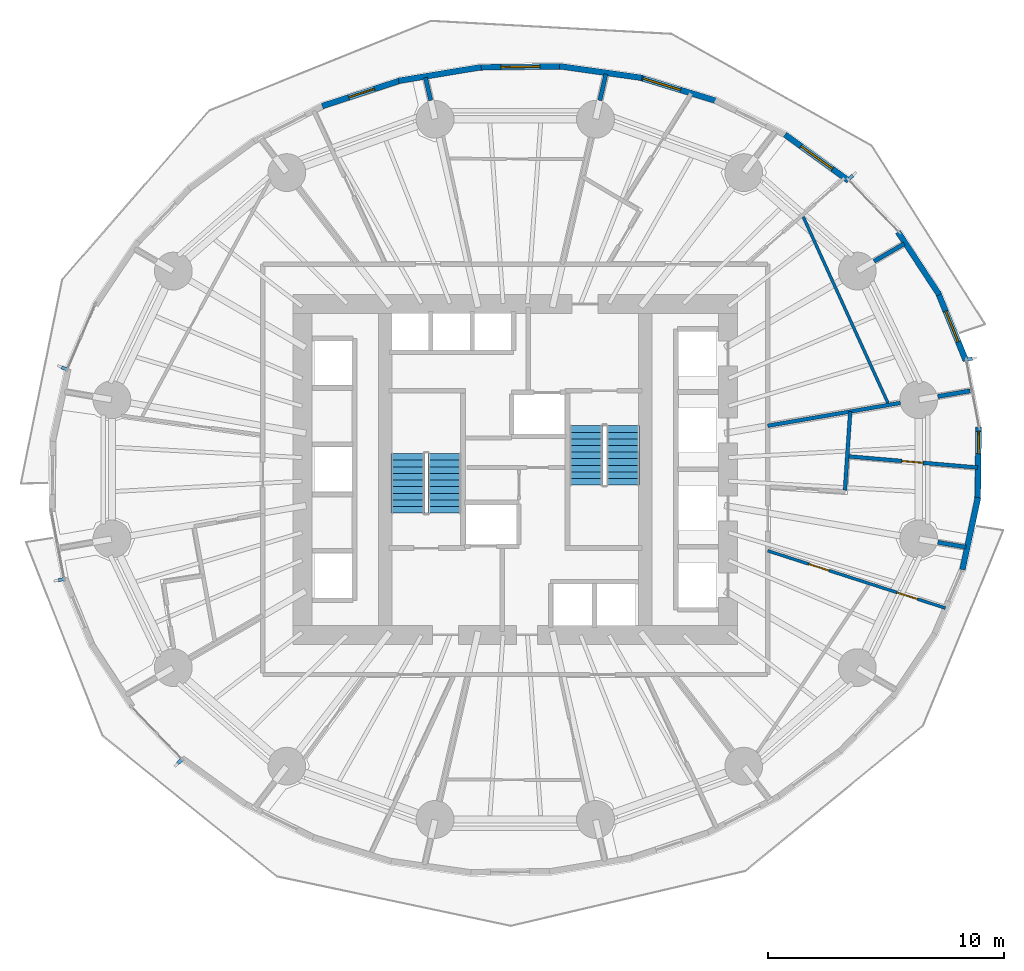
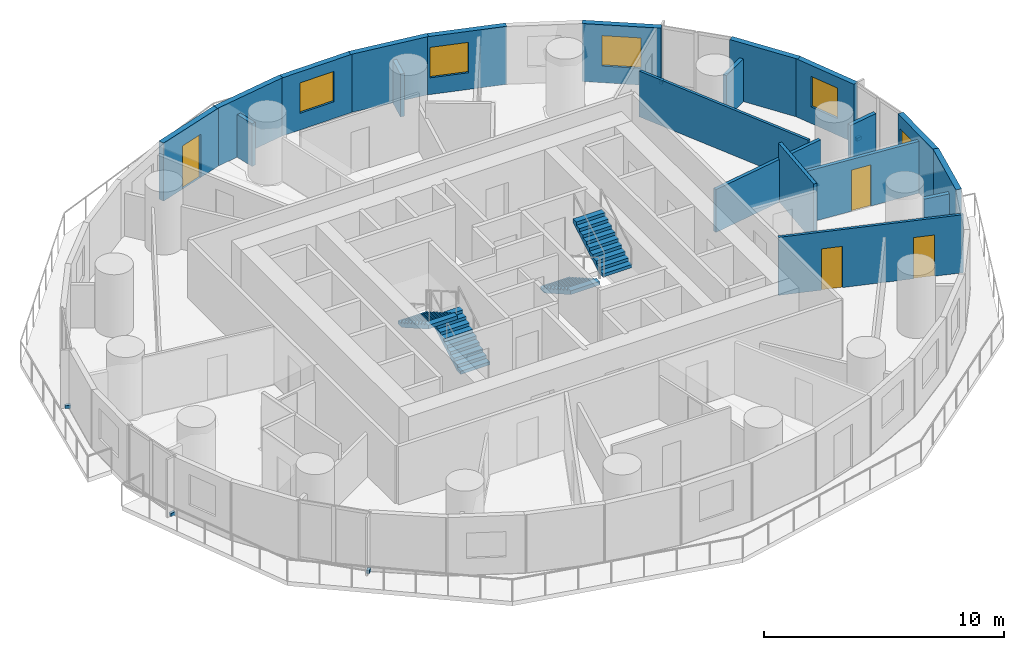
# One storey, part 10 of 14: 20 walls, 5 discrete accessories, 5 windows, 4 doors, 4 stair flights, 9 openings, 2 elements without a shape of their own.
"""IFC4 building model written with IfcOpenShell, lengths in metres."""

from ifc_helpers import new_model, si_unit, direction, frame, frame_2d, origin, origin_2d, place, context, subcontext, project, spatial, polyline, rectangle, outline, extrude, material, layer, layer_set, type_object, element, fill, aggregate, save


model = new_model("IFC4")

# Units and contexts
model_context = context("Model", 3, precision=1e-05, world=origin(), true_north=direction((0.0, 1.0)))
body_context = subcontext(model_context, "Body", "Model", "MODEL_VIEW")
ifc_project = project(units=[si_unit("LENGTHUNIT", "METRE"), si_unit("AREAUNIT", "SQUARE_METRE"), si_unit("VOLUMEUNIT", "CUBIC_METRE"), si_unit("PLANEANGLEUNIT", "RADIAN"), si_unit("MASSUNIT", "GRAM", prefix="KILO")], contexts=[model_context])

# Site, building, storey
site_placement = place(None, origin())
site = spatial("IfcSite", under=ifc_project, at=site_placement, CompositionType="ELEMENT")
building_placement = place(site_placement, origin())
building = spatial("IfcBuilding", under=site, at=building_placement, Name="Veldorim Arch Residences", CompositionType="ELEMENT")
storey_placement = place(building_placement, frame((0.0, 0.0, 31.199951171875)))
storey = spatial("IfcBuildingStorey", under=building, at=storey_placement, Name="L08", CompositionType="ELEMENT", Elevation=31.199951171875)

# Wall, openings, doors
ifc_material_1 = material(Name="Acoustic Gypsum Board", Category="gypsum")
ifc_layer_1 = layer(ifc_material_1, 0.125, Name="Acoustic Stud Room Partition Wall 125")
ifc_layer_set_1 = layer_set([ifc_layer_1], Name="Acoustic Gypsum Board")
wall_type_1 = type_object("IfcWallType", Name="Acoustic Stud Room Partition Wall 125", PredefinedType="PARTITIONING", material=ifc_layer_set_1)
wall_1_placement = place(storey_placement, frame((50.195068359375, 18.132080078125, 0.0), z_axis=(0.0, 0.0, 1.0), x_axis=(-0.951723769721, 0.306955804879, 0.0)))
wall_1 = element("IfcWall", 1, at=wall_1_placement, inside=storey, type_object=wall_type_1, Name="L08 interior wall WL-RES-L08-017", PredefinedType="PARTITIONING", context=body_context, shape_type="SweptSolid", body=[
    extrude(rectangle(XDim=7.896240234375, YDim=0.125, at=frame_2d((3.9482421875, 0.0))), origin(), (0.0, 0.0, 1.0), 2.955078125),
])
opening_1_placement = place(wall_1_placement, frame((1.2412109375, 0.0, 0.0)))
opening_1 = element("IfcOpeningElement", 2, at=opening_1_placement, cuts=wall_1, Name="Opening DR-INT", PredefinedType="OPENING", context=body_context, shape_type="SweptSolid", body=[
    extrude(rectangle(XDim=0.89990234375, YDim=2.10009765625, at=frame_2d((0.449951171875, 1.050048828125))), frame((0.0, 0.072509765625, 0.0), z_axis=(0.0, -1.0, 0.0), x_axis=(1.0, 0.0, 0.0)), (0.0, 0.0, 1.0), 0.14501953125),
])
opening_2_placement = place(wall_1_placement, frame((5.1689453125, 0.0, 0.0)))
opening_2 = element("IfcOpeningElement", 3, at=opening_2_placement, cuts=wall_1, Name="Opening DR-INT", PredefinedType="OPENING", context=body_context, shape_type="SweptSolid", body=[
    extrude(rectangle(XDim=0.89990234375, YDim=2.10009765625, at=frame_2d((0.449951171875, 1.050048828125))), frame((0.0, 0.072509765625, 0.0), z_axis=(0.0, -1.0, 0.0), x_axis=(1.0, 0.0, 0.0)), (0.0, 0.0, 1.0), 0.14501953125),
])
ifc_material_2 = material(Name="Engineered Timber", Category="wood")
door_type_1 = type_object("IfcDoorType", Name="Apartment Internal Room Timber Door 900x2100", OperationType="SINGLE_SWING_LEFT", PredefinedType="DOOR", material=ifc_material_2)
door_1_placement = place(opening_1_placement, origin())
door_1 = element("IfcDoor", 4, at=door_1_placement, inside=storey, type_object=door_type_1, Name="L08 interior door DR-RES-L08-010", OperationType="SINGLE_SWING_RIGHT", OverallHeight=2.10009765625, OverallWidth=0.89990234375, PredefinedType="DOOR", context=body_context, shape_type="SweptSolid", body=[
    extrude(rectangle(XDim=0.89990234375, YDim=2.10009765625, at=frame_2d((0.449951171875, 1.050048828125))), frame((0.0, 0.02490234375, 0.0), z_axis=(0.0, -1.0, 0.0), x_axis=(1.0, 0.0, 0.0)), (0.0, 0.0, 1.0), 0.050048828125),
])
fill(opening_1, door_1)
door_2_placement = place(opening_2_placement, origin())
door_2 = element("IfcDoor", 5, at=door_2_placement, inside=storey, type_object=door_type_1, Name="L08 interior door DR-RES-L08-011", OperationType="SINGLE_SWING_LEFT", OverallHeight=2.10009765625, OverallWidth=0.89990234375, PredefinedType="DOOR", context=body_context, shape_type="SweptSolid", body=[
    extrude(rectangle(XDim=0.89990234375, YDim=2.10009765625, at=frame_2d((0.449951171875, 1.050048828125))), frame((0.0, 0.02490234375, 0.0), z_axis=(0.0, -1.0, 0.0), x_axis=(1.0, 0.0, 0.0)), (0.0, 0.0, 1.0), 0.050048828125),
])
fill(opening_2, door_2)

# Walls
wall_2_placement = place(storey_placement, frame((47.76904296875, 26.800537109375, 0.0), z_axis=(0.0, 0.0, 1.0), x_axis=(-0.414076998559, 0.910241857565, 0.0)))
element("IfcWall", 6, at=wall_2_placement, inside=storey, type_object=wall_type_1, Name="L08 interior wall WL-RES-L08-027", PredefinedType="PARTITIONING", context=body_context, shape_type="SweptSolid", body=[
    extrude(rectangle(XDim=8.65771484375, YDim=0.125, at=frame_2d((4.328857421875, 0.0))), origin(), (0.0, 0.0, 1.0), 2.327880859375),
])
ifc_material_3 = material(Name="Lightweight Masonry Block & Gypsum", Category="masonry")
ifc_layer_2 = layer(ifc_material_3, 0.179931640625, Name="Compartment & Corridor Fire-Rated Party Wall 180")
ifc_layer_set_2 = layer_set([ifc_layer_2], Name="Lightweight Masonry Block & Gypsum")
wall_type_2 = type_object("IfcWallType", Name="Compartment & Corridor Fire-Rated Party Wall 180", PredefinedType="PARTITIONING", material=ifc_layer_set_2)
wall_3_placement = place(storey_placement, frame((49.873779296875, 27.08544921875, 0.0), z_axis=(0.0, 0.0, 1.0), x_axis=(0.985429571056, 0.170083980696, 0.0)))
element("IfcWall", 7, at=wall_3_placement, inside=storey, type_object=wall_type_2, Name="L08 interior wall WL-PIER-L08-01", PredefinedType="PARTITIONING", context=body_context, shape_type="SweptSolid", body=[
    extrude(rectangle(XDim=1.38525390625, YDim=0.179931640625, at=frame_2d((0.692626953125, 0.0))), origin(), (0.0, 0.0, 1.0), 2.17822265625),
])
wall_4_placement = place(storey_placement, frame((47.177001953125, 32.80029296875, 0.0), z_axis=(0.0, 0.0, 1.0), x_axis=(0.865049792178, 0.501686014408, 0.0)))
element("IfcWall", 8, at=wall_4_placement, inside=storey, type_object=wall_type_2, Name="L08 interior wall WL-PIER-L08-02", PredefinedType="PARTITIONING", context=body_context, shape_type="SweptSolid", body=[
    extrude(rectangle(XDim=1.48095703125, YDim=0.179931640625, at=frame_2d((0.740478515625, 0.0))), origin(), (0.0, 0.0, 1.0), 2.17822265625),
])
wall_5_placement = place(storey_placement, frame((35.577880859375, 39.609130859375, 0.0), z_axis=(0.0, 0.0, 1.0), x_axis=(0.223317049761, 0.974745861897, 0.0)))
element("IfcWall", 9, at=wall_5_placement, inside=storey, type_object=wall_type_2, Name="L08 interior wall WL-PIER-L08-04", PredefinedType="PARTITIONING", context=body_context, shape_type="SweptSolid", body=[
    extrude(rectangle(XDim=1.14453125, YDim=0.179931640625, at=frame_2d((0.572265625, 0.0))), origin(), (0.0, 0.0, 1.0), 2.17822265625),
])
wall_6_placement = place(storey_placement, frame((28.422119140625, 39.609130859375, 0.0), z_axis=(0.0, 0.0, 1.0), x_axis=(-0.223200215289, 0.974772621638, 0.0)))
element("IfcWall", 10, at=wall_6_placement, inside=storey, type_object=wall_type_2, Name="L08 interior wall WL-PIER-L08-05", PredefinedType="PARTITIONING", context=body_context, shape_type="SweptSolid", body=[
    extrude(rectangle(XDim=0.98876953125, YDim=0.179931640625, at=frame_2d((0.494384765625, 0.0))), origin(), (0.0, 0.0, 1.0), 2.17822265625),
])
wall_7_placement = place(storey_placement, frame((49.873779296875, 20.91455078125, 0.0), z_axis=(0.0, 0.0, 1.0), x_axis=(0.985412344637, -0.170183756676, 0.0)))
element("IfcWall", 11, at=wall_7_placement, inside=storey, type_object=wall_type_2, Name="L08 interior wall WL-PIER-L08-16", PredefinedType="PARTITIONING", context=body_context, shape_type="SweptSolid", body=[
    extrude(rectangle(XDim=1.210693359375, YDim=0.179931640625, at=frame_2d((0.60546875, 0.0))), origin(), (0.0, 0.0, 1.0), 2.17822265625),
])

# Wall, opening, window
ifc_material_4 = material(Name="Precast concrete C40/50", Category="concrete")
ifc_layer_3 = layer(ifc_material_4, 0.25, Name="Tower Terracotta Spandrel & Pier Wall 250")
ifc_layer_set_3 = layer_set([ifc_layer_3], Name="Precast concrete C40/50")
wall_type_3 = type_object("IfcWallType", Name="Tower Terracotta Spandrel & Pier Wall 250", PredefinedType="SOLIDWALL", material=ifc_layer_set_3)
wall_8_placement = place(storey_placement, frame((49.884521484375, 31.489013671875, 0.0), z_axis=(0.0, 0.0, 1.0), x_axis=(0.377493207518, -0.926012353199, 0.0)))
wall_8 = element("IfcWall", 12, at=wall_8_placement, inside=storey, type_object=wall_type_3, Name="L08 terracotta facade wall 02", PredefinedType="SOLIDWALL", context=body_context, shape_type="SweptSolid", body=[
    extrude(rectangle(XDim=3.12060546875, YDim=0.25, at=frame_2d((1.560302734375, 0.0))), origin(), (0.0, 0.0, 1.0), 2.9599609375),
])
opening_3_placement = place(wall_8_placement, frame((0.860107421875, 0.0, 0.85009765625)))
opening_3 = element("IfcOpeningElement", 13, at=opening_3_placement, cuts=wall_8, Name="Opening WN-02", PredefinedType="OPENING", context=body_context, shape_type="SweptSolid", body=[
    extrude(rectangle(XDim=1.39990234375, YDim=1.550048828125, at=frame_2d((0.699951171875, 0.77490234375))), frame((0.0, 0.135009765625, 0.0), z_axis=(0.0, -1.0, 0.0), x_axis=(1.0, 0.0, 0.0)), (0.0, 0.0, 1.0), 0.27001953125),
])
ifc_material_5 = material(Name="Laminated Low-E Glass", Category="glass")
window_type_1 = type_object("IfcWindowType", Name="Residential Casement Window 1400x1550", PartitioningType="SINGLE_PANEL", PredefinedType="WINDOW", material=ifc_material_5)
window_1_placement = place(opening_3_placement, origin())
window_1 = element("IfcWindow", 14, at=window_1_placement, inside=storey, type_object=window_type_1, Name="L08 solar-control facade window 02", OverallHeight=1.550048828125, OverallWidth=1.39990234375, PartitioningType="SINGLE_PANEL", PredefinedType="WINDOW", context=body_context, shape_type="SweptSolid", body=[
    extrude(rectangle(XDim=1.39990234375, YDim=1.550048828125, at=frame_2d((0.699951171875, 0.77490234375))), frame((0.0, 0.030029296875, 0.0), z_axis=(0.0, -1.0, 0.0), x_axis=(1.0, 0.0, 0.0)), (0.0, 0.0, 1.0), 0.06005859375),
])
fill(opening_3, window_1)

# Wall
wall_9_placement = place(storey_placement, frame((48.1962890625, 34.042236328125, 0.0), z_axis=(0.0, 0.0, 1.0), x_axis=(0.548579153619, -0.836098625889, 0.0)))
element("IfcWall", 15, at=wall_9_placement, inside=storey, type_object=wall_type_3, Name="L08 terracotta facade wall 03", PredefinedType="SOLIDWALL", context=body_context, shape_type="SweptSolid", body=[
    extrude(rectangle(XDim=3.174072265625, YDim=0.25, at=frame_2d((1.5869140625, 0.0))), origin(), (0.0, 0.0, 1.0), 2.9599609375),
])

# Wall, opening, window
wall_10_placement = place(storey_placement, frame((43.41064453125, 38.168212890625, 0.0), z_axis=(0.0, 0.0, 1.0), x_axis=(0.809637503316, -0.58693024562, 0.0)))
wall_10 = element("IfcWall", 16, at=wall_10_placement, inside=storey, type_object=wall_type_3, Name="L08 terracotta facade wall 05", PredefinedType="SOLIDWALL", context=body_context, shape_type="SweptSolid", body=[
    extrude(rectangle(XDim=3.32275390625, YDim=0.25, at=frame_2d((1.661376953125, 0.0))), origin(), (0.0, 0.0, 1.0), 2.9599609375),
])
opening_4_placement = place(wall_10_placement, frame((0.8359375, 0.0, 0.85009765625)))
opening_4 = element("IfcOpeningElement", 17, at=opening_4_placement, cuts=wall_10, Name="Opening WN-03", PredefinedType="OPENING", context=body_context, shape_type="SweptSolid", body=[
    extrude(rectangle(XDim=1.64990234375, YDim=1.550048828125, at=frame_2d((0.824951171875, 0.77490234375))), frame((0.0, 0.135009765625, 0.0), z_axis=(0.0, -1.0, 0.0), x_axis=(1.0, 0.0, 0.0)), (0.0, 0.0, 1.0), 0.27001953125),
])
ifc_material_6 = material(Name="Laminated Low-E Glass", Category="glass")
window_type_2 = type_object("IfcWindowType", Name="Residential Wide Window 1650x1550", PartitioningType="SINGLE_PANEL", PredefinedType="WINDOW", material=ifc_material_6)
window_2_placement = place(opening_4_placement, origin())
window_2 = element("IfcWindow", 18, at=window_2_placement, inside=storey, type_object=window_type_2, Name="L08 solar-control facade window 05", OverallHeight=1.550048828125, OverallWidth=1.64990234375, PartitioningType="SINGLE_PANEL", PredefinedType="WINDOW", context=body_context, shape_type="SweptSolid", body=[
    extrude(rectangle(XDim=1.64990234375, YDim=1.550048828125, at=frame_2d((0.824951171875, 0.77490234375))), frame((0.0, 0.030029296875, 0.0), z_axis=(0.0, -1.0, 0.0), x_axis=(1.0, 0.0, 0.0)), (0.0, 0.0, 1.0), 0.06005859375),
])
fill(opening_4, window_2)

wall_11_placement = place(storey_placement, frame((37.246337890625, 40.588623046875, 0.0), z_axis=(0.0, 0.0, 1.0), x_axis=(0.956266745267, -0.292496003213, 0.0)))
wall_11 = element("IfcWall", 19, at=wall_11_placement, inside=storey, type_object=wall_type_3, Name="L08 terracotta facade wall 07", PredefinedType="SOLIDWALL", context=body_context, shape_type="SweptSolid", body=[
    extrude(rectangle(XDim=3.46484375, YDim=0.25, at=frame_2d((1.732421875, 0.0))), origin(), (0.0, 0.0, 1.0), 2.9599609375),
])
opening_5_placement = place(wall_11_placement, frame((0.175048828125, 0.0, 0.85009765625)))
opening_5 = element("IfcOpeningElement", 20, at=opening_5_placement, cuts=wall_11, Name="Opening WN-03", PredefinedType="OPENING", context=body_context, shape_type="SweptSolid", body=[
    extrude(rectangle(XDim=1.64990234375, YDim=1.550048828125, at=frame_2d((0.824951171875, 0.77490234375))), frame((0.0, 0.135009765625, 0.0), z_axis=(0.0, -1.0, 0.0), x_axis=(1.0, 0.0, 0.0)), (0.0, 0.0, 1.0), 0.27001953125),
])
window_3_placement = place(opening_5_placement, origin())
window_3 = element("IfcWindow", 21, at=window_3_placement, inside=storey, type_object=window_type_2, Name="L08 solar-control facade window 07", OverallHeight=1.550048828125, OverallWidth=1.64990234375, PartitioningType="SINGLE_PANEL", PredefinedType="WINDOW", context=body_context, shape_type="SweptSolid", body=[
    extrude(rectangle(XDim=1.64990234375, YDim=1.550048828125, at=frame_2d((0.824951171875, 0.77490234375))), frame((0.0, 0.030029296875, 0.0), z_axis=(0.0, -1.0, 0.0), x_axis=(1.0, 0.0, 0.0)), (0.0, 0.0, 1.0), 0.06005859375),
])
fill(opening_5, window_3)

# Wall
wall_12_placement = place(storey_placement, frame((33.874755859375, 41.057861328125, 0.0), z_axis=(0.0, 0.0, 1.0), x_axis=(0.990105954495, -0.140321769067, 0.0)))
element("IfcWall", 22, at=wall_12_placement, inside=storey, type_object=wall_type_3, Name="L08 terracotta facade wall 08", PredefinedType="SOLIDWALL", context=body_context, shape_type="SweptSolid", body=[
    extrude(rectangle(XDim=3.5126953125, YDim=0.25, at=frame_2d((1.75634765625, 0.0))), origin(), (0.0, 0.0, 1.0), 2.9599609375),
])

# Wall, opening, window
wall_13_placement = place(storey_placement, frame((30.445556640625, 41.008056640625, 0.0), z_axis=(0.0, 0.0, 1.0), x_axis=(0.999927087517, 0.012075580727, 0.0)))
wall_13 = element("IfcWall", 23, at=wall_13_placement, inside=storey, type_object=wall_type_3, Name="L08 terracotta facade wall 09", PredefinedType="SOLIDWALL", context=body_context, shape_type="SweptSolid", body=[
    extrude(rectangle(XDim=3.5380859375, YDim=0.25, at=frame_2d((1.76904296875, 0.0))), origin(), (0.0, 0.0, 1.0), 2.9599609375),
])
opening_6_placement = place(wall_13_placement, frame((0.944091796875, 0.0, 0.85009765625)))
opening_6 = element("IfcOpeningElement", 24, at=opening_6_placement, cuts=wall_13, Name="Opening WN-03", PredefinedType="OPENING", context=body_context, shape_type="SweptSolid", body=[
    extrude(rectangle(XDim=1.64990234375, YDim=1.550048828125, at=frame_2d((0.824951171875, 0.77490234375))), frame((0.0, 0.135009765625, 0.0), z_axis=(0.0, -1.0, 0.0), x_axis=(1.0, 0.0, 0.0)), (0.0, 0.0, 1.0), 0.27001953125),
])
window_4_placement = place(opening_6_placement, origin())
window_4 = element("IfcWindow", 25, at=window_4_placement, inside=storey, type_object=window_type_2, Name="L08 solar-control facade window 09", OverallHeight=1.550048828125, OverallWidth=1.64990234375, PartitioningType="SINGLE_PANEL", PredefinedType="WINDOW", context=body_context, shape_type="SweptSolid", body=[
    extrude(rectangle(XDim=1.64990234375, YDim=1.550048828125, at=frame_2d((0.824951171875, 0.77490234375))), frame((0.0, 0.030029296875, 0.0), z_axis=(0.0, -1.0, 0.0), x_axis=(1.0, 0.0, 0.0)), (0.0, 0.0, 1.0), 0.06005859375),
])
fill(opening_6, window_4)

# Wall
wall_14_placement = place(storey_placement, frame((27.06298828125, 40.4404296875, 0.0), z_axis=(0.0, 0.0, 1.0), x_axis=(0.986605703013, 0.16312322576, 0.0)))
element("IfcWall", 26, at=wall_14_placement, inside=storey, type_object=wall_type_3, Name="L08 terracotta facade wall 10", PredefinedType="SOLIDWALL", context=body_context, shape_type="SweptSolid", body=[
    extrude(rectangle(XDim=3.5380859375, YDim=0.25, at=frame_2d((1.76904296875, 0.0))), origin(), (0.0, 0.0, 1.0), 2.9599609375),
])

# Wall, opening, door
wall_15_placement = place(storey_placement, frame((23.83056640625, 39.37255859375, 0.0), z_axis=(0.0, 0.0, 1.0), x_axis=(0.950290237418, 0.311365484066, 0.0)))
wall_15 = element("IfcWall", 27, at=wall_15_placement, inside=storey, type_object=wall_type_3, Name="L08 terracotta facade wall 11", PredefinedType="SOLIDWALL", context=body_context, shape_type="SweptSolid", body=[
    extrude(rectangle(XDim=3.5126953125, YDim=0.25, at=frame_2d((1.75634765625, 0.0))), origin(), (0.0, 0.0, 1.0), 2.9599609375),
])
opening_7_placement = place(wall_15_placement, frame((1.180908203125, 0.0, 0.0)))
opening_7 = element("IfcOpeningElement", 28, at=opening_7_placement, cuts=wall_15, Name="Opening BL-DR", PredefinedType="OPENING", context=body_context, shape_type="SweptSolid", body=[
    extrude(rectangle(XDim=1.14990234375, YDim=2.199951171875, at=frame_2d((0.574951171875, 1.10009765625))), frame((0.0, 0.135009765625, 0.0), z_axis=(0.0, -1.0, 0.0), x_axis=(1.0, 0.0, 0.0)), (0.0, 0.0, 1.0), 0.27001953125),
])
ifc_material_7 = material(Name="Aluminium & Low-E Glass", Category="aluminium")
door_type_2 = type_object("IfcDoorType", Name="Glazed Planted Balcony Door 1150x2200", OperationType="SINGLE_SWING_LEFT", PredefinedType="DOOR", material=ifc_material_7)
door_3_placement = place(opening_7_placement, origin())
door_3 = element("IfcDoor", 29, at=door_3_placement, inside=storey, type_object=door_type_2, Name="L08 glazed outdoor terrace door BALC-1", OperationType="SINGLE_SWING_LEFT", OverallHeight=2.199951171875, OverallWidth=1.14990234375, PredefinedType="DOOR", context=body_context, shape_type="SweptSolid", body=[
    extrude(rectangle(XDim=1.14990234375, YDim=2.199951171875, at=frame_2d((0.574951171875, 1.10009765625))), frame((0.0, 0.02490234375, 0.0), z_axis=(0.0, -1.0, 0.0), x_axis=(1.0, 0.0, 0.0)), (0.0, 0.0, 1.0), 0.050048828125),
])
fill(opening_7, door_3)

# Wall
wall_16_placement = place(storey_placement, frame((51.573486328125, 22.80810546875, 0.0), z_axis=(0.0, 0.0, 1.0), x_axis=(-0.209668000253, -0.977772637002, 0.0)))
element("IfcWall", 30, at=wall_16_placement, inside=storey, type_object=wall_type_3, Name="L08 terracotta facade wall 35", PredefinedType="SOLIDWALL", context=body_context, shape_type="SweptSolid", body=[
    extrude(rectangle(XDim=3.12060546875, YDim=0.25, at=frame_2d((1.560302734375, 0.0))), origin(), (0.0, 0.0, 1.0), 2.9599609375),
])

# Wall, opening, window
wall_17_placement = place(storey_placement, frame((51.59912109375, 25.785888671875, 0.0), z_axis=(0.0, 0.0, 1.0), x_axis=(-0.012397373015, -0.999923149618, 0.0)))
wall_17 = element("IfcWall", 31, at=wall_17_placement, inside=storey, type_object=wall_type_3, Name="L08 terracotta facade wall 36", PredefinedType="SOLIDWALL", context=body_context, shape_type="SweptSolid", body=[
    extrude(rectangle(XDim=3.091796875, YDim=0.25, at=frame_2d((1.5458984375, 0.0))), origin(), (0.0, 0.0, 1.0), 2.9599609375),
])
opening_8_placement = place(wall_17_placement, frame((0.175048828125, 0.0, 0.85009765625)))
opening_8 = element("IfcOpeningElement", 32, at=opening_8_placement, cuts=wall_17, Name="Opening WN-05", PredefinedType="OPENING", context=body_context, shape_type="SweptSolid", body=[
    extrude(rectangle(XDim=0.949951171875, YDim=1.449951171875, at=frame_2d((0.47509765625, 0.72509765625))), frame((0.0, 0.135009765625, 0.0), z_axis=(0.0, -1.0, 0.0), x_axis=(1.0, 0.0, 0.0)), (0.0, 0.0, 1.0), 0.27001953125),
])
ifc_material_8 = material(Name="Laminated Low-E Glass", Category="glass")
window_type_3 = type_object("IfcWindowType", Name="Residential Compact Casement Window 950x1450", PartitioningType="SINGLE_PANEL", PredefinedType="WINDOW", material=ifc_material_8)
window_5_placement = place(opening_8_placement, origin())
window_5 = element("IfcWindow", 33, at=window_5_placement, inside=storey, type_object=window_type_3, Name="L08 solar-control facade window 36", OverallHeight=1.449951171875, OverallWidth=0.949951171875, PartitioningType="SINGLE_PANEL", PredefinedType="WINDOW", context=body_context, shape_type="SweptSolid", body=[
    extrude(rectangle(XDim=0.949951171875, YDim=1.449951171875, at=frame_2d((0.47509765625, 0.72509765625))), frame((0.0, 0.030029296875, 0.0), z_axis=(0.0, -1.0, 0.0), x_axis=(1.0, 0.0, 0.0)), (0.0, 0.0, 1.0), 0.06005859375),
])
fill(opening_8, window_5)

# Wall, opening, door
ifc_material_9 = material(Name="Moisture-Resistant Gypsum & Stud", Category="gypsum")
ifc_layer_4 = layer(ifc_material_9, 0.159912109375, Name="Wet-Area Moisture-Resistant Plumbing Wall 160")
ifc_layer_set_4 = layer_set([ifc_layer_4], Name="Moisture-Resistant Gypsum & Stud")
wall_type_4 = type_object("IfcWallType", Name="Wet-Area Moisture-Resistant Plumbing Wall 160", PredefinedType="PLUMBINGWALL", material=ifc_layer_set_4)
wall_18_placement = place(storey_placement, frame((46.043701171875, 24.5546875, 0.0), z_axis=(0.0, 0.0, 1.0), x_axis=(0.996262385211, -0.086378584226, 0.0)))
wall_18 = element("IfcWall", 34, at=wall_18_placement, inside=storey, type_object=wall_type_4, Name="L08 interior wall WL-RES-L08-016", PredefinedType="PLUMBINGWALL", context=body_context, shape_type="SweptSolid", body=[
    extrude(rectangle(XDim=5.539794921875, YDim=0.159912109375, at=frame_2d((2.77001953125, 0.0))), origin(), (0.0, 0.0, 1.0), 2.641357421875),
])
opening_9_placement = place(wall_18_placement, frame((2.320068359375, 0.0, 0.0)))
opening_9 = element("IfcOpeningElement", 35, at=opening_9_placement, cuts=wall_18, Name="Opening DR-WC", PredefinedType="OPENING", context=body_context, shape_type="SweptSolid", body=[
    extrude(rectangle(XDim=0.89990234375, YDim=2.10009765625, at=frame_2d((0.449951171875, 1.050048828125))), frame((0.0, 0.08984375, 0.0), z_axis=(0.0, -1.0, 0.0), x_axis=(1.0, 0.0, 0.0)), (0.0, 0.0, 1.0), 0.179931640625),
])
ifc_material_10 = material(Name="Laminate Timber", Category="wood")
door_type_3 = type_object("IfcDoorType", Name="Bathroom & Accessible WC Moisture-Sealed Door 900x2100", OperationType="SINGLE_SWING_LEFT", PredefinedType="DOOR", material=ifc_material_10)
door_4_placement = place(opening_9_placement, origin())
door_4 = element("IfcDoor", 36, at=door_4_placement, inside=storey, type_object=door_type_3, Name="L08 interior door DR-RES-L08-009", OperationType="SINGLE_SWING_LEFT", OverallHeight=2.10009765625, OverallWidth=0.89990234375, PredefinedType="DOOR", context=body_context, shape_type="SweptSolid", body=[
    extrude(rectangle(XDim=0.89990234375, YDim=2.10009765625, at=frame_2d((0.449951171875, 1.050048828125))), frame((0.0, 0.02490234375, 0.0), z_axis=(0.0, -1.0, 0.0), x_axis=(1.0, 0.0, 0.0)), (0.0, 0.0, 1.0), 0.050048828125),
])
fill(opening_9, door_4)

# Walls
wall_19_placement = place(storey_placement, frame((45.947265625, 23.117431640625, 0.0), z_axis=(0.0, 0.0, 1.0), x_axis=(0.066888153037, 0.997760479766, 0.0)))
element("IfcWall", 37, at=wall_19_placement, inside=storey, type_object=wall_type_4, Name="L08 interior wall WL-RES-L08-019", PredefinedType="PLUMBINGWALL", context=body_context, shape_type="SweptSolid", body=[
    extrude(rectangle(XDim=3.336181640625, YDim=0.159912109375, at=frame_2d((1.66796875, 0.0))), origin(), (0.0, 0.0, 1.0), 2.955078125),
])
wall_20_placement = place(storey_placement, frame((42.679931640625, 25.843994140625, 0.0), z_axis=(0.0, 0.0, 1.0), x_axis=(0.985435597438, 0.170049061456, 0.0)))
element("IfcWall", 38, at=wall_20_placement, inside=storey, type_object=wall_type_4, Name="L08 interior wall WL-RES-L08-020", PredefinedType="PLUMBINGWALL", context=body_context, shape_type="SweptSolid", body=[
    extrude(rectangle(XDim=5.694091796875, YDim=0.159912109375, at=frame_2d((2.84716796875, 0.0))), origin(), (0.0, 0.0, 1.0), 2.17822265625),
])

# Stair, stair flights
ifc_material_11 = material(Name="Concrete C40/50", Category="concrete")
stair_type = type_object("IfcStairType", Name="Reinforced Concrete Dogleg Exit Staircase", PredefinedType="HALF_TURN_STAIR", material=ifc_material_11)
stair_1_placement = place(storey_placement, origin())
stair_1 = element("IfcStair", 39, at=stair_1_placement, inside=storey, type_object=stair_type, Name="L08 Exit Staircase ST-1", PredefinedType="HALF_TURN_STAIR")
ifc_material_12 = material(Name="Concrete C40/50", Category="concrete")
stair_flight_type = type_object("IfcStairFlightType", Name="Reinforced Concrete Stair Flight 1400", PredefinedType="STRAIGHT", material=ifc_material_12)
stair_flight_1_placement = place(storey_placement, frame((29.010009765625, 22.14990234375, 0.0), z_axis=(0.0, 0.0, 1.0), x_axis=(0.0, 1.0, 0.0)))
stair_flight_1 = element("IfcStairFlight", 40, at=stair_flight_1_placement, type_object=stair_flight_type, Name="ST-1 flight 1", NumberOfRisers=10, NumberOfTreads=9, PredefinedType="STRAIGHT", RiserHeight=0.16, TreadLength=0.28, context=body_context, shape_type="SweptSolid", body=[
    extrude(outline(polyline([(0.0, 0.0), (0.0, 0.159912109375), (0.280029296875, 0.159912109375), (0.280029296875, 0.320068359375), (0.56005859375, 0.320068359375), (0.56005859375, 0.47998046875), (0.840087890625, 0.47998046875), (0.840087890625, 0.639892578125), (1.1201171875, 0.639892578125), (1.1201171875, 0.800048828125), (1.39990234375, 0.800048828125), (1.39990234375, 0.9599609375), (1.679931640625, 0.9599609375), (1.679931640625, 1.1201171875), (1.9599609375, 1.1201171875), (1.9599609375, 1.280029296875), (2.239990234375, 1.280029296875), (2.239990234375, 1.43994140625), (2.52001953125, 1.43994140625), (2.52001953125, 1.60009765625), (2.52001953125, 1.255859375), (0.322265625, 0.0), (0.0, 0.0)])), frame((0.0, 0.699951171875, 0.0), z_axis=(0.0, -1.0, 0.0), x_axis=(1.0, 0.0, 0.0)), (0.0, 0.0, 1.0), 1.39990234375),
])
stair_flight_2_placement = place(storey_placement, frame((27.449951171875, 24.669921875, 1.60009765625), z_axis=(0.0, 0.0, 1.0), x_axis=(0.0, -1.0, 0.0)))
stair_flight_2 = element("IfcStairFlight", 41, at=stair_flight_2_placement, type_object=stair_flight_type, Name="ST-1 flight 2", NumberOfRisers=10, NumberOfTreads=9, PredefinedType="STRAIGHT", RiserHeight=0.16, TreadLength=0.28, context=body_context, shape_type="SweptSolid", body=[
    extrude(outline(polyline([(0.0, 0.0), (0.0, 0.159912109375), (0.280029296875, 0.159912109375), (0.280029296875, 0.320068359375), (0.56005859375, 0.320068359375), (0.56005859375, 0.47998046875), (0.840087890625, 0.47998046875), (0.840087890625, 0.639892578125), (1.1201171875, 0.639892578125), (1.1201171875, 0.800048828125), (1.39990234375, 0.800048828125), (1.39990234375, 0.9599609375), (1.679931640625, 0.9599609375), (1.679931640625, 1.1201171875), (1.9599609375, 1.1201171875), (1.9599609375, 1.280029296875), (2.239990234375, 1.280029296875), (2.239990234375, 1.43994140625), (2.52001953125, 1.43994140625), (2.52001953125, 1.60009765625), (2.52001953125, 1.255859375), (0.322265625, 0.0), (0.0, 0.0)])), frame((0.0, 0.699951171875, 0.0), z_axis=(0.0, -1.0, 0.0), x_axis=(1.0, 0.0, 0.0)), (0.0, 0.0, 1.0), 1.39990234375),
])
aggregate(stair_1, [stair_flight_1, stair_flight_2])

stair_2_placement = place(storey_placement, origin())
stair_2 = element("IfcStair", 42, at=stair_2_placement, inside=storey, type_object=stair_type, Name="L08 Exit Staircase ST-2", PredefinedType="HALF_TURN_STAIR")
stair_flight_3_placement = place(storey_placement, frame((34.989990234375, 25.85009765625, 0.0), z_axis=(0.0, 0.0, 1.0), x_axis=(0.0, -1.0, 0.0)))
stair_flight_3 = element("IfcStairFlight", 43, at=stair_flight_3_placement, type_object=stair_flight_type, Name="ST-2 flight 1", NumberOfRisers=10, NumberOfTreads=9, PredefinedType="STRAIGHT", RiserHeight=0.16, TreadLength=0.28, context=body_context, shape_type="SweptSolid", body=[
    extrude(outline(polyline([(0.0, 0.0), (0.0, 0.159912109375), (0.280029296875, 0.159912109375), (0.280029296875, 0.320068359375), (0.56005859375, 0.320068359375), (0.56005859375, 0.47998046875), (0.840087890625, 0.47998046875), (0.840087890625, 0.639892578125), (1.1201171875, 0.639892578125), (1.1201171875, 0.800048828125), (1.39990234375, 0.800048828125), (1.39990234375, 0.9599609375), (1.679931640625, 0.9599609375), (1.679931640625, 1.1201171875), (1.9599609375, 1.1201171875), (1.9599609375, 1.280029296875), (2.239990234375, 1.280029296875), (2.239990234375, 1.43994140625), (2.52001953125, 1.43994140625), (2.52001953125, 1.60009765625), (2.52001953125, 1.255859375), (0.322265625, 0.0), (0.0, 0.0)])), frame((0.0, 0.699951171875, 0.0), z_axis=(0.0, -1.0, 0.0), x_axis=(1.0, 0.0, 0.0)), (0.0, 0.0, 1.0), 1.39990234375),
])
stair_flight_4_placement = place(storey_placement, frame((36.550048828125, 23.330078125, 1.60009765625), z_axis=(0.0, 0.0, 1.0), x_axis=(0.0, 1.0, 0.0)))
stair_flight_4 = element("IfcStairFlight", 44, at=stair_flight_4_placement, type_object=stair_flight_type, Name="ST-2 flight 2", NumberOfRisers=10, NumberOfTreads=9, PredefinedType="STRAIGHT", RiserHeight=0.16, TreadLength=0.28, context=body_context, shape_type="SweptSolid", body=[
    extrude(outline(polyline([(0.0, 0.0), (0.0, 0.159912109375), (0.280029296875, 0.159912109375), (0.280029296875, 0.320068359375), (0.56005859375, 0.320068359375), (0.56005859375, 0.47998046875), (0.840087890625, 0.47998046875), (0.840087890625, 0.639892578125), (1.1201171875, 0.639892578125), (1.1201171875, 0.800048828125), (1.39990234375, 0.800048828125), (1.39990234375, 0.9599609375), (1.679931640625, 0.9599609375), (1.679931640625, 1.1201171875), (1.9599609375, 1.1201171875), (1.9599609375, 1.280029296875), (2.239990234375, 1.280029296875), (2.239990234375, 1.43994140625), (2.52001953125, 1.43994140625), (2.52001953125, 1.60009765625), (2.52001953125, 1.255859375), (0.322265625, 0.0), (0.0, 0.0)])), frame((0.0, 0.699951171875, 0.0), z_axis=(0.0, -1.0, 0.0), x_axis=(1.0, 0.0, 0.0)), (0.0, 0.0, 1.0), 1.39990234375),
])
aggregate(stair_2, [stair_flight_3, stair_flight_4])

# Discrete accessories
ifc_material_13 = material(Name="Stainless Steel", Category="steel")
discrete_accessory_type = type_object("IfcDiscreteAccessoryType", Name="Stainless Steel Facade Fin Anchor Bracket", PredefinedType="BRACKET", material=ifc_material_13)
for number, where, z_axis, x_axis, name in (
    (45, (51.214111328125, 28.6650390625, -0.02001953125), (0.0, 0.0, 1.0), (0.187209870265, -0.982319939976, 0.0), "L08 stainless fin anchor bracket 01"),
    (46, (46.194580078125, 36.355224609375, -0.02001953125), (0.0, 0.0, 1.0), (0.693527577607, -0.720430079257, 0.0), "L08 stainless fin anchor bracket 04"),
    (47, (12.918212890625, 28.27392578125, -0.02001953125), (0.0, 0.0, 1.0), (0.393781484212, 0.919204081089, 0.0), "L08 stainless fin anchor bracket 16"),
    (48, (12.785888671875, 19.3349609375, -0.02001953125), (0.0, 0.0, 1.0), (-0.187209870265, 0.982319939976, 0.0), "L08 stainless fin anchor bracket 19"),
    (49, (17.805419921875, 11.644775390625, -0.02001953125), (0.0, 0.0, 1.0), (-0.693527577607, 0.720430079257, 0.0), "L08 stainless fin anchor bracket 22"),
):
    element("IfcDiscreteAccessory", number, at=place(storey_placement, frame(where, z_axis=z_axis, x_axis=x_axis)), inside=storey, type_object=discrete_accessory_type, Name=name, PredefinedType="BRACKET", context=body_context, shape_type="SweptSolid", body=[
        extrude(rectangle(XDim=0.139892578125, YDim=0.239990234375, at=origin_2d()), origin(), (0.0, 0.0, 1.0), 0.159912109375),
    ])

save(model, "model.ifc")
